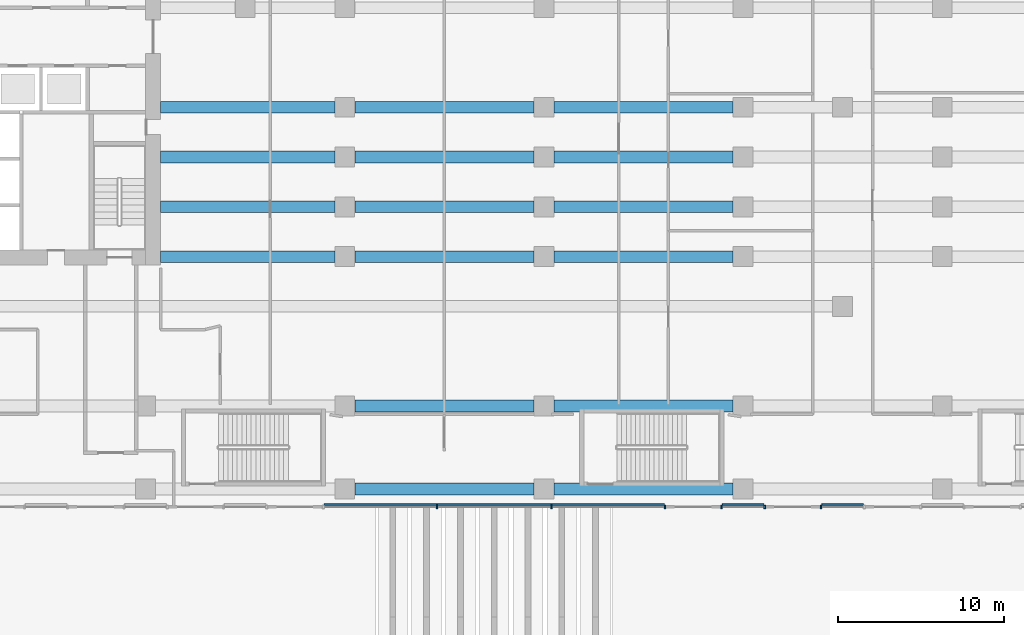
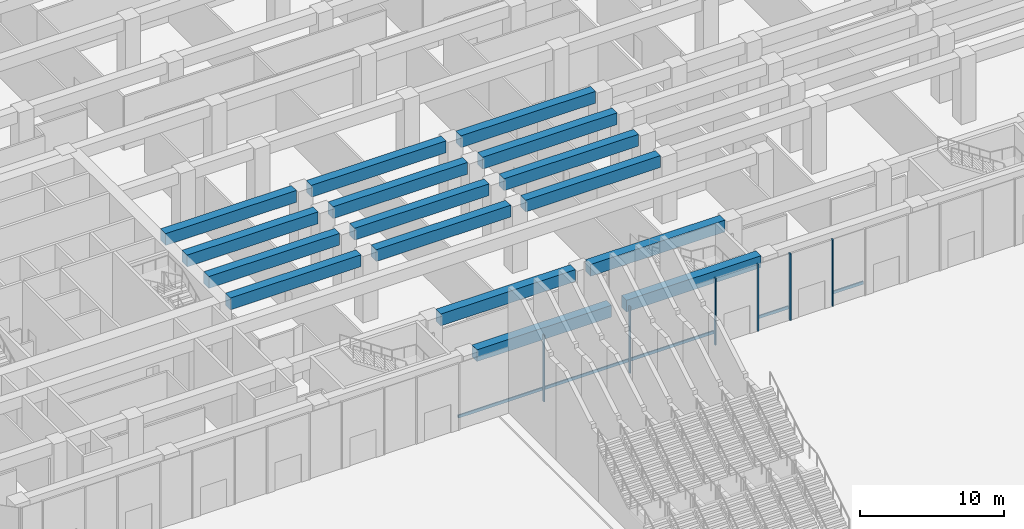
# One storey, part 5 of 32: 16 beams, 9 members, 3 elements without a shape of their own.
"""IFC4 building model written with IfcOpenShell, lengths in metres."""

from ifc_helpers import new_model, si_unit, direction, frame, origin, origin_2d, place, context, subcontext, project, spatial, rectangle, extrude, material, layer, layer_set, material_profile, profile_set, type_object, element, aggregate, save


model = new_model("IFC4")

# Units and contexts
model_context = context("Model", 3, precision=1e-05, world=origin(), true_north=direction((0.0, 1.0)))
body_context = subcontext(model_context, "Body", "Model", "MODEL_VIEW")
ifc_project = project(units=[si_unit("LENGTHUNIT", "METRE"), si_unit("AREAUNIT", "SQUARE_METRE"), si_unit("VOLUMEUNIT", "CUBIC_METRE"), si_unit("PLANEANGLEUNIT", "RADIAN"), si_unit("MASSUNIT", "GRAM", prefix="KILO")], contexts=[model_context])

# Site, building, storey
site_placement = place(None, origin())
site = spatial("IfcSite", under=ifc_project, at=site_placement, CompositionType="ELEMENT")
building_placement = place(site_placement, origin())
building = spatial("IfcBuilding", under=site, at=building_placement, Name="Welwitschia Terrace Campus", CompositionType="ELEMENT")
storey_placement = place(building_placement, origin())
storey = spatial("IfcBuildingStorey", under=building, at=storey_placement, Name="L00", CompositionType="ELEMENT", Elevation=0.0)

# Beams
ifc_material_1 = material(Name="Concrete C60/75", Category="concrete")
ifc_material_profile_1 = material_profile(ifc_material_1, rectangle(XDim=0.699951171875, YDim=1.0, at=origin_2d()))
ifc_profile_set_1 = profile_set([ifc_material_profile_1], Name="Concrete C60/75")
beam_type = type_object("IfcBeamType", Name="Base block beam 700x1000", PredefinedType="BEAM", material=ifc_profile_set_1)
for number, where, z_axis, x_axis, name in (
    (1, (36.6005859375, -9.0, 5.14990234375), (1.0, 0.0, 0.0), (0.0, 1.0, 0.0), "Beam BB1"),
    (2, (48.6005859375, -9.0, 5.14990234375), (1.0, 0.0, 0.0), (0.0, 1.0, 0.0), "Beam BB1"),
    (3, (36.6005859375, -4.0, 5.14990234375), (1.0, 0.0, 0.0), (0.0, 1.0, 0.0), "Beam BB1"),
    (4, (48.6005859375, -4.0, 5.14990234375), (1.0, 0.0, 0.0), (0.0, 1.0, 0.0), "Beam BB1"),
):
    element("IfcBeam", number, at=place(storey_placement, frame(where, z_axis=z_axis, x_axis=x_axis)), inside=storey, type_object=beam_type, Name=name, PredefinedType="BEAM", context=body_context, shape_type="SweptSolid", body=[
        extrude(rectangle(XDim=0.699951171875, YDim=1.0, at=origin_2d()), origin(), (0.0, 0.0, 1.0), 10.798828125),
    ])
beam_1_placement = place(storey_placement, frame((24.89990234375, 5.0, 5.14990234375), z_axis=(1.0, 0.0, 0.0), x_axis=(0.0, 1.0, 0.0)))
element("IfcBeam", 5, at=beam_1_placement, inside=storey, type_object=beam_type, Name="Beam BB1", PredefinedType="BEAM", context=body_context, shape_type="SweptSolid", body=[
    extrude(rectangle(XDim=0.699951171875, YDim=1.0, at=origin_2d()), origin(), (0.0, 0.0, 1.0), 10.49951171875),
])
for number, where, z_axis, x_axis, name in (
    (6, (36.6005859375, 5.0, 5.14990234375), (1.0, 0.0, 0.0), (0.0, 1.0, 0.0), "Beam BB1"),
    (7, (48.6005859375, 5.0, 5.14990234375), (1.0, 0.0, 0.0), (0.0, 1.0, 0.0), "Beam BB1"),
):
    element("IfcBeam", number, at=place(storey_placement, frame(where, z_axis=z_axis, x_axis=x_axis)), inside=storey, type_object=beam_type, Name=name, PredefinedType="BEAM", context=body_context, shape_type="SweptSolid", body=[
        extrude(rectangle(XDim=0.699951171875, YDim=1.0, at=origin_2d()), origin(), (0.0, 0.0, 1.0), 10.798828125),
    ])
beam_2_placement = place(storey_placement, frame((24.89990234375, 8.0, 5.14990234375), z_axis=(1.0, 0.0, 0.0), x_axis=(0.0, 1.0, 0.0)))
element("IfcBeam", 8, at=beam_2_placement, inside=storey, type_object=beam_type, Name="Beam BB1", PredefinedType="BEAM", context=body_context, shape_type="SweptSolid", body=[
    extrude(rectangle(XDim=0.699951171875, YDim=1.0, at=origin_2d()), origin(), (0.0, 0.0, 1.0), 10.49951171875),
])
for number, where, z_axis, x_axis, name in (
    (9, (36.6005859375, 8.0, 5.14990234375), (1.0, 0.0, 0.0), (0.0, 1.0, 0.0), "Beam BB1"),
    (10, (48.6005859375, 8.0, 5.14990234375), (1.0, 0.0, 0.0), (0.0, 1.0, 0.0), "Beam BB1"),
):
    element("IfcBeam", number, at=place(storey_placement, frame(where, z_axis=z_axis, x_axis=x_axis)), inside=storey, type_object=beam_type, Name=name, PredefinedType="BEAM", context=body_context, shape_type="SweptSolid", body=[
        extrude(rectangle(XDim=0.699951171875, YDim=1.0, at=origin_2d()), origin(), (0.0, 0.0, 1.0), 10.798828125),
    ])
beam_3_placement = place(storey_placement, frame((24.89990234375, 11.0, 5.14990234375), z_axis=(1.0, 0.0, 0.0), x_axis=(0.0, 1.0, 0.0)))
element("IfcBeam", 11, at=beam_3_placement, inside=storey, type_object=beam_type, Name="Beam BB1", PredefinedType="BEAM", context=body_context, shape_type="SweptSolid", body=[
    extrude(rectangle(XDim=0.699951171875, YDim=1.0, at=origin_2d()), origin(), (0.0, 0.0, 1.0), 10.49951171875),
])
for number, where, z_axis, x_axis, name in (
    (12, (36.6005859375, 11.0, 5.14990234375), (1.0, 0.0, 0.0), (0.0, 1.0, 0.0), "Beam BB1"),
    (13, (48.6005859375, 11.0, 5.14990234375), (1.0, 0.0, 0.0), (0.0, 1.0, 0.0), "Beam BB1"),
):
    element("IfcBeam", number, at=place(storey_placement, frame(where, z_axis=z_axis, x_axis=x_axis)), inside=storey, type_object=beam_type, Name=name, PredefinedType="BEAM", context=body_context, shape_type="SweptSolid", body=[
        extrude(rectangle(XDim=0.699951171875, YDim=1.0, at=origin_2d()), origin(), (0.0, 0.0, 1.0), 10.798828125),
    ])
beam_4_placement = place(storey_placement, frame((24.89990234375, 14.0, 5.14990234375), z_axis=(1.0, 0.0, 0.0), x_axis=(0.0, 1.0, 0.0)))
element("IfcBeam", 14, at=beam_4_placement, inside=storey, type_object=beam_type, Name="Beam BB1", PredefinedType="BEAM", context=body_context, shape_type="SweptSolid", body=[
    extrude(rectangle(XDim=0.699951171875, YDim=1.0, at=origin_2d()), origin(), (0.0, 0.0, 1.0), 10.49951171875),
])
for number, where, z_axis, x_axis, name in (
    (15, (36.6005859375, 14.0, 5.14990234375), (1.0, 0.0, 0.0), (0.0, 1.0, 0.0), "Beam BB1"),
    (16, (48.6005859375, 14.0, 5.14990234375), (1.0, 0.0, 0.0), (0.0, 1.0, 0.0), "Beam BB1"),
):
    element("IfcBeam", number, at=place(storey_placement, frame(where, z_axis=z_axis, x_axis=x_axis)), inside=storey, type_object=beam_type, Name=name, PredefinedType="BEAM", context=body_context, shape_type="SweptSolid", body=[
        extrude(rectangle(XDim=0.699951171875, YDim=1.0, at=origin_2d()), origin(), (0.0, 0.0, 1.0), 10.798828125),
    ])

# Curtain wall, members
ifc_material_2 = material(Name="Bronze anodised aluminium", Category="aluminium")
ifc_layer = layer(ifc_material_2, 0.199951171875)
ifc_layer_set = layer_set([ifc_layer], Name="Bronze anodised aluminium")
curtain_wall_type = type_object("IfcCurtainWallType", Name="Curtain wall CW4 arcade shopfront 7500", PredefinedType="NOTDEFINED", material=ifc_layer_set)
curtain_wall_1_placement = place(storey_placement, origin())
curtain_wall_1 = element("IfcCurtainWall", 17, at=curtain_wall_1_placement, inside=storey, type_object=curtain_wall_type, Name="CW L00.0.g6", PredefinedType="NOTDEFINED")
ifc_material_3 = material(Name="Bronze anodised aluminium", Category="aluminium")
ifc_material_profile_2 = material_profile(ifc_material_3, rectangle(XDim=0.199951171875, YDim=0.10009765625, at=origin_2d()))
ifc_profile_set_2 = profile_set([ifc_material_profile_2], Name="Bronze anodised aluminium")
member_type_1 = type_object("IfcMemberType", Name="Mullion 100x200", PredefinedType="MULLION", material=ifc_profile_set_2)
member_1_placement = place(storey_placement, frame((41.550048828125, -10.0849609375, 0.0), z_axis=(0.0, 0.0, 1.0), x_axis=(0.0, 1.0, 0.0)))
member_1 = element("IfcMember", 18, at=member_1_placement, type_object=member_type_1, Name="Mullion L00.0.g6.1", PredefinedType="MULLION", context=body_context, shape_type="SweptSolid", body=[
    extrude(rectangle(XDim=0.199951171875, YDim=0.10009765625, at=origin_2d()), origin(), (0.0, 0.0, 1.0), 5.64990234375),
])
member_2_placement = place(storey_placement, frame((48.449951171875, -10.0849609375, 0.0), z_axis=(0.0, 0.0, 1.0), x_axis=(0.0, 1.0, 0.0)))
member_2 = element("IfcMember", 19, at=member_2_placement, type_object=member_type_1, Name="Mullion L00.0.g6.2", PredefinedType="MULLION", context=body_context, shape_type="SweptSolid", body=[
    extrude(rectangle(XDim=0.199951171875, YDim=0.10009765625, at=origin_2d()), origin(), (0.0, 0.0, 1.0), 5.64990234375),
])
member_3_placement = place(storey_placement, frame((55.300048828125, -10.0849609375, 0.0), z_axis=(0.0, 0.0, 1.0), x_axis=(0.0, 1.0, 0.0)))
member_3 = element("IfcMember", 20, at=member_3_placement, type_object=member_type_1, Name="Mullion L00.0.g6.3", PredefinedType="MULLION", context=body_context, shape_type="SweptSolid", body=[
    extrude(rectangle(XDim=0.199951171875, YDim=0.10009765625, at=origin_2d()), origin(), (0.0, 0.0, 1.0), 5.64990234375),
])

curtain_wall_2_placement = place(storey_placement, origin())
curtain_wall_2 = element("IfcCurtainWall", 21, at=curtain_wall_2_placement, inside=storey, type_object=curtain_wall_type, Name="CW L00.0.g7", PredefinedType="NOTDEFINED")
member_4_placement = place(storey_placement, frame((58.699951171875, -10.0849609375, 0.0), z_axis=(0.0, 0.0, 1.0), x_axis=(0.0, 1.0, 0.0)))
member_4 = element("IfcMember", 22, at=member_4_placement, type_object=member_type_1, Name="Mullion L00.0.g7.0", PredefinedType="MULLION", context=body_context, shape_type="SweptSolid", body=[
    extrude(rectangle(XDim=0.199951171875, YDim=0.10009765625, at=origin_2d()), origin(), (0.0, 0.0, 1.0), 5.64990234375),
])
member_5_placement = place(storey_placement, frame((61.300048828125, -10.0849609375, 0.0), z_axis=(0.0, 0.0, 1.0), x_axis=(0.0, 1.0, 0.0)))
member_5 = element("IfcMember", 23, at=member_5_placement, type_object=member_type_1, Name="Mullion L00.0.g7.1", PredefinedType="MULLION", context=body_context, shape_type="SweptSolid", body=[
    extrude(rectangle(XDim=0.199951171875, YDim=0.10009765625, at=origin_2d()), origin(), (0.0, 0.0, 1.0), 5.64990234375),
])

# Curtain wall, member
curtain_wall_3_placement = place(storey_placement, origin())
curtain_wall_3 = element("IfcCurtainWall", 24, at=curtain_wall_3_placement, inside=storey, type_object=curtain_wall_type, Name="CW L00.0.g8", PredefinedType="NOTDEFINED")
member_6_placement = place(storey_placement, frame((64.699951171875, -10.0849609375, 0.0), z_axis=(0.0, 0.0, 1.0), x_axis=(0.0, 1.0, 0.0)))
member_6 = element("IfcMember", 25, at=member_6_placement, type_object=member_type_1, Name="Mullion L00.0.g8.0", PredefinedType="MULLION", context=body_context, shape_type="SweptSolid", body=[
    extrude(rectangle(XDim=0.199951171875, YDim=0.10009765625, at=origin_2d()), origin(), (0.0, 0.0, 1.0), 5.64990234375),
])

# Member
ifc_material_4 = material(Name="Bronze anodised aluminium", Category="aluminium")
ifc_material_profile_3 = material_profile(ifc_material_4, rectangle(XDim=0.10009765625, YDim=0.25, at=origin_2d()))
ifc_profile_set_3 = profile_set([ifc_material_profile_3], Name="Bronze anodised aluminium")
member_type_2 = type_object("IfcMemberType", Name="Transom 100x250", PredefinedType="USERDEFINED", material=ifc_profile_set_3)
member_7_placement = place(storey_placement, frame((34.75, -9.93505859375, 1.0), z_axis=(1.0, 0.0, 0.0), x_axis=(0.0, 1.0, 0.0)))
member_7 = element("IfcMember", 26, at=member_7_placement, type_object=member_type_2, Name="Transom L00.0.g6", ObjectType="TRANSOM", PredefinedType="USERDEFINED", context=body_context, shape_type="SweptSolid", body=[
    extrude(rectangle(XDim=0.10009765625, YDim=0.25, at=origin_2d()), origin(), (0.0, 0.0, 1.0), 20.5),
])

aggregate(curtain_wall_1, [member_1, member_2, member_3, member_7])

member_8_placement = place(storey_placement, frame((58.75, -9.93505859375, 1.0), z_axis=(1.0, 0.0, 0.0), x_axis=(0.0, 1.0, 0.0)))
member_8 = element("IfcMember", 27, at=member_8_placement, type_object=member_type_2, Name="Transom L00.0.g7", ObjectType="TRANSOM", PredefinedType="USERDEFINED", context=body_context, shape_type="SweptSolid", body=[
    extrude(rectangle(XDim=0.10009765625, YDim=0.25, at=origin_2d()), origin(), (0.0, 0.0, 1.0), 2.5),
])

aggregate(curtain_wall_2, [member_4, member_5, member_8])

member_9_placement = place(storey_placement, frame((64.75, -9.93505859375, 1.0), z_axis=(1.0, 0.0, 0.0), x_axis=(0.0, 1.0, 0.0)))
member_9 = element("IfcMember", 28, at=member_9_placement, type_object=member_type_2, Name="Transom L00.0.g8", ObjectType="TRANSOM", PredefinedType="USERDEFINED", context=body_context, shape_type="SweptSolid", body=[
    extrude(rectangle(XDim=0.10009765625, YDim=0.25, at=origin_2d()), origin(), (0.0, 0.0, 1.0), 2.5),
])

aggregate(curtain_wall_3, [member_6, member_9])

save(model, "model.ifc")
